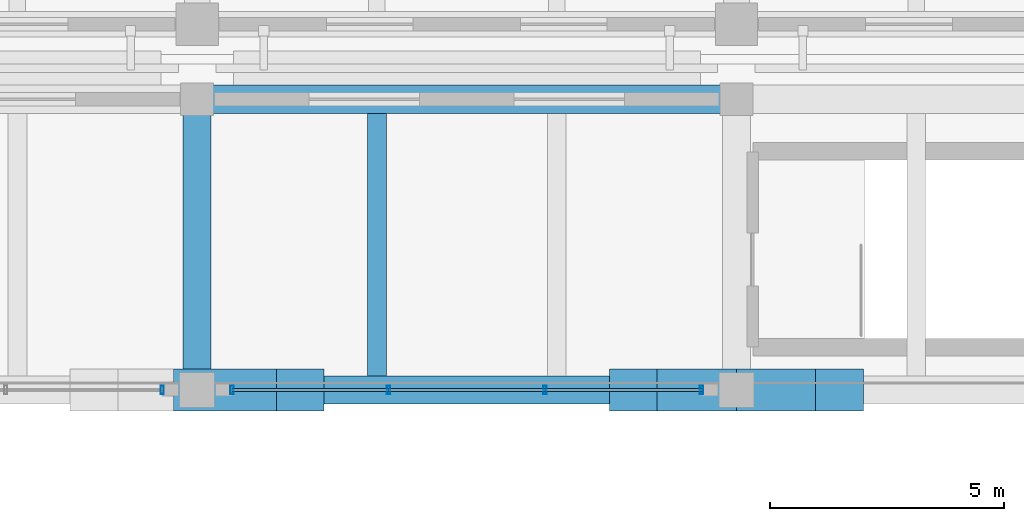
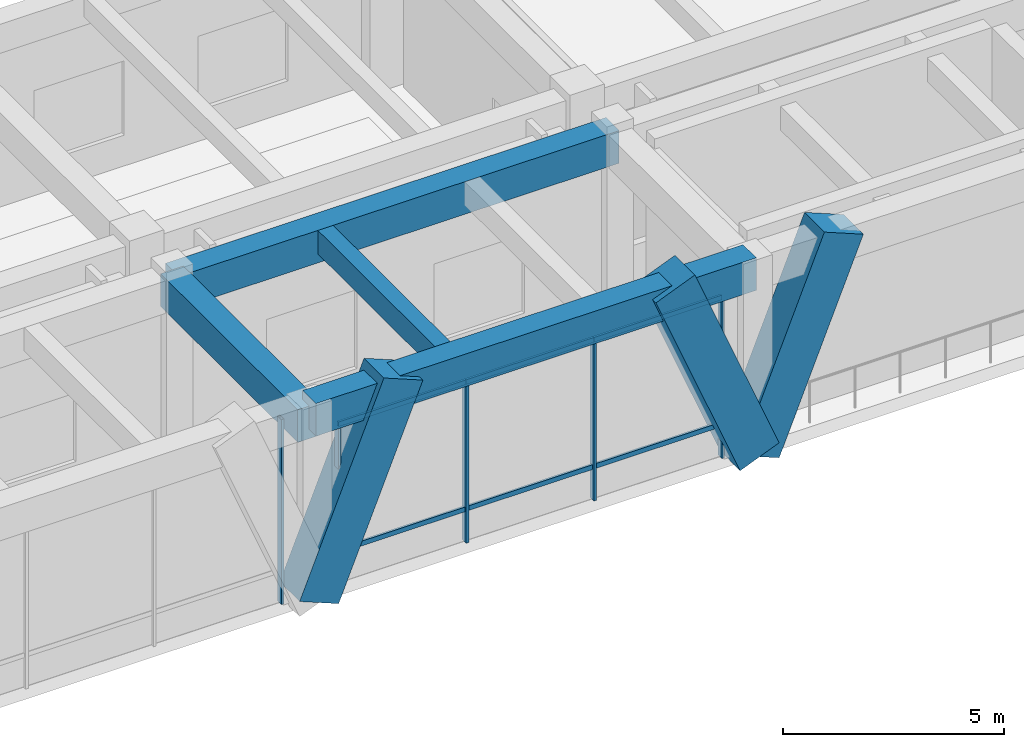
# One storey, part 106 of 148: 14 members, 4 beams, 2 elements without a shape of their own.
"""IFC4 building model written with IfcOpenShell, lengths in metres."""

from ifc_helpers import new_model, si_unit, direction, frame, origin, origin_2d, place, context, subcontext, project, spatial, rectangle, hollow_rectangle, extrude, material, material_profile, profile_set, type_object, element, aggregate, save


model = new_model("IFC4")

# Units and contexts
model_context = context("Model", 3, precision=1e-05, world=origin(), true_north=direction((0.0, 1.0)))
body_context = subcontext(model_context, "Body", "Model", "MODEL_VIEW")
ifc_project = project(units=[si_unit("LENGTHUNIT", "METRE"), si_unit("AREAUNIT", "SQUARE_METRE"), si_unit("VOLUMEUNIT", "CUBIC_METRE"), si_unit("PLANEANGLEUNIT", "RADIAN"), si_unit("MASSUNIT", "GRAM", prefix="KILO")], contexts=[model_context])

# Site, building, storey
site_placement = place(None, origin())
site = spatial("IfcSite", under=ifc_project, at=site_placement, CompositionType="ELEMENT")
building_placement = place(site_placement, origin())
building = spatial("IfcBuilding", under=site, at=building_placement, Name="Ologun Quay Terminus", CompositionType="ELEMENT")
storey_placement = place(building_placement, frame((0.0, 0.0, 8.39990234375)))
storey = spatial("IfcBuildingStorey", under=building, at=storey_placement, Name="L02", CompositionType="ELEMENT", Elevation=8.39990234375)

# Curtain wall, member
ifc_material_1 = material(Name="Aluminium 6063-T6", Category="aluminium")
curtain_wall_type = type_object("IfcCurtainWallType", Name="Train Shed North Clerestory Curtain Wall 10700x4850", PredefinedType="USERDEFINED", material=ifc_material_1)
curtain_wall_1_placement = place(storey_placement, origin())
curtain_wall_1 = element("IfcCurtainWall", 1, at=curtain_wall_1_placement, inside=storey, type_object=curtain_wall_type, Name="CW-09 Curtain Wall CW-L02-071", ObjectType="UNITISED CURTAIN WALL", PredefinedType="USERDEFINED")
ifc_material_2 = material(Name="Aluminium 6063-T6", Category="aluminium")
ifc_material_profile_1 = material_profile(ifc_material_2, hollow_rectangle(XDim=0.070068359375, YDim=0.179931640625, WallThickness=0.0048828125, at=origin_2d()), Name="ALU 180x70x5")
ifc_profile_set_1 = profile_set([ifc_material_profile_1], Name="Aluminium 6063-T6")
member_type_1 = type_object("IfcMemberType", Name="Concourse Clerestory Mullion 180x70", PredefinedType="MULLION", material=ifc_profile_set_1)
member_1_placement = place(storey_placement, frame((160.2548828125, 78.0, 0.0), z_axis=(0.0, 0.0, 1.0), x_axis=(1.0, 0.0, 0.0)))
member_1 = element("IfcMember", 2, at=member_1_placement, type_object=member_type_1, Name="CW-L02-071 Mullion 4", PredefinedType="MULLION", context=body_context, shape_type="SweptSolid", body=[
    extrude(hollow_rectangle(XDim=0.070068359375, YDim=0.179931640625, WallThickness=0.0048828125, at=origin_2d()), origin(), (0.0, 0.0, 1.0), 5.10009765625),
])
aggregate(curtain_wall_1, [member_1])

# Curtain wall, members
curtain_wall_2_placement = place(storey_placement, origin())
curtain_wall_2 = element("IfcCurtainWall", 3, at=curtain_wall_2_placement, inside=storey, type_object=curtain_wall_type, Name="CW-09 Curtain Wall CW-L02-073", ObjectType="UNITISED CURTAIN WALL", PredefinedType="USERDEFINED")
member_2_placement = place(storey_placement, frame((161.7451171875, 78.0, 0.0), z_axis=(0.0, 0.0, 1.0), x_axis=(1.0, 0.0, 0.0)))
member_2 = element("IfcMember", 4, at=member_2_placement, type_object=member_type_1, Name="CW-L02-073 Mullion 1", PredefinedType="MULLION", context=body_context, shape_type="SweptSolid", body=[
    extrude(hollow_rectangle(XDim=0.070068359375, YDim=0.179931640625, WallThickness=0.0048828125, at=origin_2d()), origin(), (0.0, 0.0, 1.0), 5.10009765625),
])
member_3_placement = place(storey_placement, frame((165.081787109375, 78.0, 0.0), z_axis=(0.0, 0.0, 1.0), x_axis=(1.0, 0.0, 0.0)))
member_3 = element("IfcMember", 5, at=member_3_placement, type_object=member_type_1, Name="CW-L02-073 Mullion 2", PredefinedType="MULLION", context=body_context, shape_type="SweptSolid", body=[
    extrude(hollow_rectangle(XDim=0.070068359375, YDim=0.179931640625, WallThickness=0.0048828125, at=origin_2d()), origin(), (0.0, 0.0, 1.0), 5.10009765625),
])
member_4_placement = place(storey_placement, frame((168.418212890625, 78.0, 0.0), z_axis=(0.0, 0.0, 1.0), x_axis=(1.0, 0.0, 0.0)))
member_4 = element("IfcMember", 6, at=member_4_placement, type_object=member_type_1, Name="CW-L02-073 Mullion 3", PredefinedType="MULLION", context=body_context, shape_type="SweptSolid", body=[
    extrude(hollow_rectangle(XDim=0.070068359375, YDim=0.179931640625, WallThickness=0.0048828125, at=origin_2d()), origin(), (0.0, 0.0, 1.0), 5.10009765625),
])
member_5_placement = place(storey_placement, frame((171.7548828125, 78.0, 0.0), z_axis=(0.0, 0.0, 1.0), x_axis=(1.0, 0.0, 0.0)))
member_5 = element("IfcMember", 7, at=member_5_placement, type_object=member_type_1, Name="CW-L02-073 Mullion 4", PredefinedType="MULLION", context=body_context, shape_type="SweptSolid", body=[
    extrude(hollow_rectangle(XDim=0.070068359375, YDim=0.179931640625, WallThickness=0.0048828125, at=origin_2d()), origin(), (0.0, 0.0, 1.0), 5.10009765625),
])
ifc_material_3 = material(Name="Aluminium 6063-T6", Category="aluminium")
ifc_material_profile_2 = material_profile(ifc_material_3, hollow_rectangle(XDim=0.06005859375, YDim=0.1298828125, WallThickness=0.00390625, at=origin_2d()), Name="ALU 130x60x4")
ifc_profile_set_2 = profile_set([ifc_material_profile_2], Name="Aluminium 6063-T6")
member_type_2 = type_object("IfcMemberType", Name="Concourse Clerestory Transom 130x60", PredefinedType="USERDEFINED", material=ifc_profile_set_2)
member_6_placement = place(storey_placement, frame((161.7451171875, 78.0, 0.900146484375), z_axis=(1.0, 0.0, 0.0), x_axis=(0.0, 1.0, 0.0)))
member_6 = element("IfcMember", 8, at=member_6_placement, type_object=member_type_2, Name="CW-L02-073 Transom B1-1", ObjectType="TRANSOM", PredefinedType="USERDEFINED", context=body_context, shape_type="SweptSolid", body=[
    extrude(hollow_rectangle(XDim=0.06005859375, YDim=0.1298828125, WallThickness=0.00390625, at=origin_2d()), origin(), (0.0, 0.0, 1.0), 3.336669921875),
])
member_7_placement = place(storey_placement, frame((161.7451171875, 78.0, 4.400146484375), z_axis=(1.0, 0.0, 0.0), x_axis=(0.0, 1.0, 0.0)))
member_7 = element("IfcMember", 9, at=member_7_placement, type_object=member_type_2, Name="CW-L02-073 Transom B1-2", ObjectType="TRANSOM", PredefinedType="USERDEFINED", context=body_context, shape_type="SweptSolid", body=[
    extrude(hollow_rectangle(XDim=0.06005859375, YDim=0.1298828125, WallThickness=0.00390625, at=origin_2d()), origin(), (0.0, 0.0, 1.0), 3.336669921875),
])
member_8_placement = place(storey_placement, frame((165.081787109375, 78.0, 0.900146484375), z_axis=(1.0, 0.0, 0.0), x_axis=(0.0, 1.0, 0.0)))
member_8 = element("IfcMember", 10, at=member_8_placement, type_object=member_type_2, Name="CW-L02-073 Transom B2-1", ObjectType="TRANSOM", PredefinedType="USERDEFINED", context=body_context, shape_type="SweptSolid", body=[
    extrude(hollow_rectangle(XDim=0.06005859375, YDim=0.1298828125, WallThickness=0.00390625, at=origin_2d()), origin(), (0.0, 0.0, 1.0), 3.33642578125),
])
member_9_placement = place(storey_placement, frame((165.081787109375, 78.0, 4.400146484375), z_axis=(1.0, 0.0, 0.0), x_axis=(0.0, 1.0, 0.0)))
member_9 = element("IfcMember", 11, at=member_9_placement, type_object=member_type_2, Name="CW-L02-073 Transom B2-2", ObjectType="TRANSOM", PredefinedType="USERDEFINED", context=body_context, shape_type="SweptSolid", body=[
    extrude(hollow_rectangle(XDim=0.06005859375, YDim=0.1298828125, WallThickness=0.00390625, at=origin_2d()), origin(), (0.0, 0.0, 1.0), 3.33642578125),
])
member_10_placement = place(storey_placement, frame((168.418212890625, 78.0, 0.900146484375), z_axis=(1.0, 0.0, 0.0), x_axis=(0.0, 1.0, 0.0)))
member_10 = element("IfcMember", 12, at=member_10_placement, type_object=member_type_2, Name="CW-L02-073 Transom B3-1", ObjectType="TRANSOM", PredefinedType="USERDEFINED", context=body_context, shape_type="SweptSolid", body=[
    extrude(hollow_rectangle(XDim=0.06005859375, YDim=0.1298828125, WallThickness=0.00390625, at=origin_2d()), origin(), (0.0, 0.0, 1.0), 3.336669921875),
])
member_11_placement = place(storey_placement, frame((168.418212890625, 78.0, 4.400146484375), z_axis=(1.0, 0.0, 0.0), x_axis=(0.0, 1.0, 0.0)))
member_11 = element("IfcMember", 13, at=member_11_placement, type_object=member_type_2, Name="CW-L02-073 Transom B3-2", ObjectType="TRANSOM", PredefinedType="USERDEFINED", context=body_context, shape_type="SweptSolid", body=[
    extrude(hollow_rectangle(XDim=0.06005859375, YDim=0.1298828125, WallThickness=0.00390625, at=origin_2d()), origin(), (0.0, 0.0, 1.0), 3.336669921875),
])
aggregate(curtain_wall_2, [member_2, member_3, member_4, member_5, member_6, member_7, member_8, member_9, member_10, member_11])

# Members
ifc_material_4 = material(Name="Concrete C45/55", Category="concrete")
ifc_material_profile_3 = material_profile(ifc_material_4, rectangle(XDim=0.89990234375, YDim=1.10009765625, at=origin_2d()), Name="RC 900x1100")
ifc_profile_set_3 = profile_set([ifc_material_profile_3], Name="Concrete C45/55")
member_type_3 = type_object("IfcMemberType", Name="Sculpted Concrete Arch V-Buttress Strut 900x1100", PredefinedType="STRUT", material=ifc_profile_set_3)
for number, where, z_axis, x_axis, name in (
    (14, (161.0, 78.0, 0.0), (0.377280927807, 0.0, 0.926098861631), (0.0, 1.0, 0.0), "VS1 Arch V-Buttress East Limb 15/F"),
    (15, (172.5, 78.0, 0.0), (-0.377280927807, 0.0, 0.926098861631), (0.0, -1.0, 0.0), "VS1 Arch V-Buttress West Limb 16/F"),
    (16, (172.5, 78.0, 0.0), (0.377280927807, 0.0, 0.926098861631), (0.0, 1.0, 0.0), "VS1 Arch V-Buttress East Limb 16/F"),
):
    element("IfcMember", number, at=place(storey_placement, frame(where, z_axis=z_axis, x_axis=x_axis)), inside=storey, type_object=member_type_3, Name=name, PredefinedType="STRUT", context=body_context, shape_type="SweptSolid", body=[
        extrude(rectangle(XDim=0.89990234375, YDim=1.10009765625, at=origin_2d()), origin(), (0.0, 0.0, 1.0), 5.8310546875),
    ])

# Beams
ifc_material_5 = material(Name="Concrete C40/50", Category="concrete")
ifc_material_profile_4 = material_profile(ifc_material_5, rectangle(XDim=0.60009765625, YDim=0.89990234375, at=origin_2d()), Name="RC 600x900")
ifc_profile_set_4 = profile_set([ifc_material_profile_4], Name="Concrete C40/50")
beam_type_1 = type_object("IfcBeamType", Name="Station Frame Girder 600x900", PredefinedType="BEAM", material=ifc_profile_set_4)
for number, where, z_axis, x_axis, name in (
    (17, (161.0, 78.0, 4.9501953125), (1.0, 0.0, 0.0), (0.0, 1.0, 0.0), "B3 Beam 15/F L02"),
    (18, (161.0, 84.199951171875, 4.7001953125), (1.0, 0.0, 0.0), (0.0, 1.0, 0.0), "B3 Beam 15/G1 L02"),
):
    element("IfcBeam", number, at=place(storey_placement, frame(where, z_axis=z_axis, x_axis=x_axis)), inside=storey, type_object=beam_type_1, Name=name, PredefinedType="BEAM", context=body_context, shape_type="SweptSolid", body=[
        extrude(rectangle(XDim=0.60009765625, YDim=0.89990234375, at=origin_2d()), origin(), (0.0, 0.0, 1.0), 11.5),
    ])
beam_1_placement = place(storey_placement, frame((161.0, 78.0, 4.7001953125), z_axis=(0.0, 1.0, 0.0), x_axis=(-1.0, 0.0, 0.0)))
element("IfcBeam", 19, at=beam_1_placement, inside=storey, type_object=beam_type_1, Name="B3 Beam 15/F L02", PredefinedType="BEAM", context=body_context, shape_type="SweptSolid", body=[
    extrude(rectangle(XDim=0.60009765625, YDim=0.89990234375, at=origin_2d()), origin(), (0.0, 0.0, 1.0), 6.199951171875),
])
ifc_material_6 = material(Name="Concrete C40/50", Category="concrete")
ifc_material_profile_5 = material_profile(ifc_material_6, rectangle(XDim=0.39990234375, YDim=0.64990234375, at=origin_2d()), Name="RC 400x650")
ifc_profile_set_5 = profile_set([ifc_material_profile_5], Name="Concrete C40/50")
beam_type_2 = type_object("IfcBeamType", Name="Station Secondary Joist 400x650", PredefinedType="JOIST", material=ifc_profile_set_5)
beam_2_placement = place(storey_placement, frame((164.833251953125, 78.300048828125, 4.8251953125), z_axis=(0.0, 1.0, 0.0), x_axis=(-1.0, 0.0, 0.0)))
element("IfcBeam", 20, at=beam_2_placement, inside=storey, type_object=beam_type_2, Name="J1 Beam 15/F L02", PredefinedType="JOIST", context=body_context, shape_type="SweptSolid", body=[
    extrude(rectangle(XDim=0.39990234375, YDim=0.64990234375, at=origin_2d()), origin(), (0.0, 0.0, 1.0), 5.599853515625),
])

save(model, "model.ifc")
